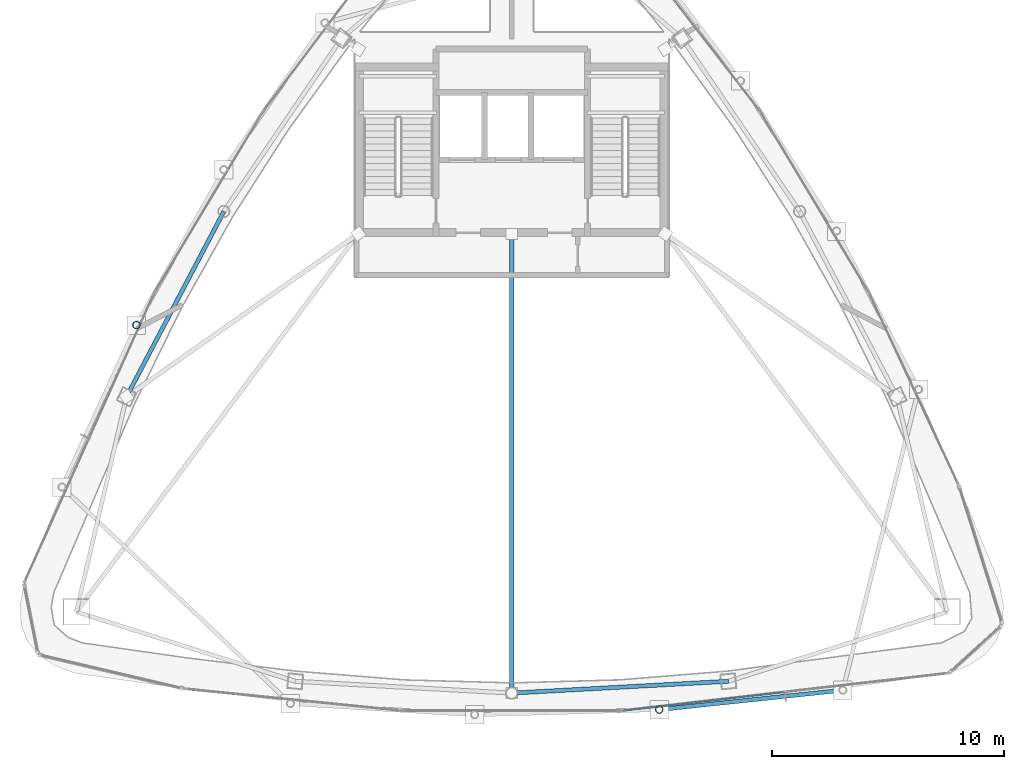
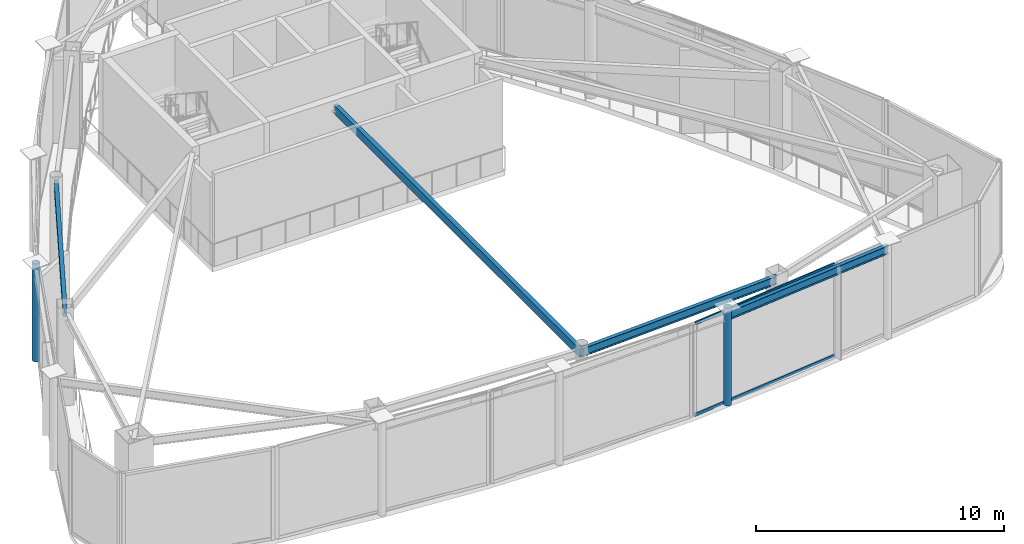
# One storey, part 7 of 20: 5 members, 3 beams, 1 element without a shape of its own.
"""IFC4 building model written with IfcOpenShell, lengths in metres."""

from ifc_helpers import new_model, si_unit, direction, frame, origin, origin_2d, place, context, subcontext, project, spatial, hollow_rectangle, hollow_circle, i_section, extrude, material, layer, layer_set, material_profile, profile_set, type_object, element, aggregate, save


model = new_model("IFC4")

# Units and contexts
model_context = context("Model", 3, precision=1e-05, world=origin(), true_north=direction((0.0, 1.0)))
body_context = subcontext(model_context, "Body", "Model", "MODEL_VIEW")
ifc_project = project(units=[si_unit("LENGTHUNIT", "METRE"), si_unit("AREAUNIT", "SQUARE_METRE"), si_unit("VOLUMEUNIT", "CUBIC_METRE"), si_unit("PLANEANGLEUNIT", "RADIAN"), si_unit("MASSUNIT", "GRAM", prefix="KILO")], contexts=[model_context])

# Site, building, storey
site_placement = place(None, origin())
site = spatial("IfcSite", under=ifc_project, at=site_placement, CompositionType="ELEMENT")
building_placement = place(site_placement, origin())
building = spatial("IfcBuilding", under=site, at=building_placement, Name="Orvanel Arch Residences", CompositionType="ELEMENT")
storey_placement = place(building_placement, frame((0.0, 0.0, 300.5)))
storey = spatial("IfcBuildingStorey", under=building, at=storey_placement, Name="L84", CompositionType="ELEMENT", Elevation=300.5)

# Beams
ifc_material_1 = material(Name="Structural steel AS/NZS 3679.1 Grade 300 (300 MPa)", Category="steel")
ifc_material_profile_1 = material_profile(ifc_material_1, i_section(OverallWidth=0.177978515625, OverallDepth=0.406005859375, WebThickness=0.0078125, FlangeThickness=0.0126953125, at=origin_2d()), Name="410UB59.7")
ifc_profile_set_1 = profile_set([ifc_material_profile_1], Name="Structural steel AS/NZS 3679.1 Grade 300 (300 MPa)")
beam_type_1 = type_object("IfcBeamType", Name="OB-410UB", PredefinedType="SPANDREL", material=ifc_profile_set_1)
beam_1_placement = place(storey_placement, frame((33.0, 6.843994140625, 4.346923828125), z_axis=(0.998510315598, 0.054563262768, 0.0), x_axis=(-0.054563262768, 0.998510315598, 0.0)))
element("IfcBeam", 1, at=beam_1_placement, inside=storey, type_object=beam_type_1, Name="L84 Perimeter Spandrel Beam 04", PredefinedType="SPANDREL", context=body_context, shape_type="SweptSolid", body=[
    extrude(i_section(OverallWidth=0.177978515625, OverallDepth=0.406005859375, WebThickness=0.0078125, FlangeThickness=0.0126953125, at=origin_2d()), origin(), (0.0, 0.0, 1.0), 9.364990234375),
])
beam_2_placement = place(storey_placement, frame((20.569091796875, 27.64111328125, 4.346923828125), z_axis=(-0.465064762793, -0.885276660942, 0.0), x_axis=(0.885276660942, -0.465064762793, 0.0)))
element("IfcBeam", 2, at=beam_2_placement, inside=storey, type_object=beam_type_1, Name="L84 Perimeter Spandrel Beam 12", PredefinedType="SPANDREL", context=body_context, shape_type="SweptSolid", body=[
    extrude(i_section(OverallWidth=0.177978515625, OverallDepth=0.406005859375, WebThickness=0.0078125, FlangeThickness=0.0126953125, at=origin_2d()), origin(), (0.0, 0.0, 1.0), 9.03564453125),
])
ifc_material_profile_2 = material_profile(ifc_material_1, i_section(OverallWidth=0.177978515625, OverallDepth=0.406005859375, WebThickness=0.0078125, FlangeThickness=0.0126953125, at=origin_2d()), Name="410UB59.7")
ifc_profile_set_2 = profile_set([ifc_material_profile_2], Name="Structural steel AS/NZS 3679.1 Grade 300 (300 MPa)")
beam_type_2 = type_object("IfcBeamType", Name="OB-410UB-EXT", PredefinedType="SPANDREL", material=ifc_profile_set_2)
beam_3_placement = place(storey_placement, frame((39.366943359375, 6.131103515625, 4.346923828125), z_axis=(0.994445876363, 0.1052492232, 0.0), x_axis=(-0.1052492232, 0.994445876363, 0.0)))
element("IfcBeam", 3, at=beam_3_placement, inside=storey, type_object=beam_type_2, Name="L84 Outer Perimeter Floor Ring Beam 07", PredefinedType="SPANDREL", context=body_context, shape_type="SweptSolid", body=[
    extrude(i_section(OverallWidth=0.177978515625, OverallDepth=0.406005859375, WebThickness=0.0078125, FlangeThickness=0.0126953125, at=origin_2d()), origin(), (0.0, 0.0, 1.0), 7.97021484375),
])

# Members
ifc_material_2 = material(Name="Structural steel AS/NZS 1163 C350L0 (Grade 350)", Category="steel")
ifc_material_profile_3 = material_profile(ifc_material_2, hollow_rectangle(XDim=0.199951171875, YDim=0.39990234375, WallThickness=0.012451171875, at=origin_2d()), Name="RHS400x200x12.5")
ifc_profile_set_3 = profile_set([ifc_material_profile_3], Name="Structural steel AS/NZS 1163 C350L0 (Grade 350)")
member_type_1 = type_object("IfcMemberType", Name="RF-400RHS", PredefinedType="RAFTER", material=ifc_profile_set_3)
member_1_placement = place(storey_placement, frame((33.0, 26.675048828125, 4.300048828125), z_axis=(0.0, -1.0, 0.0), x_axis=(1.0, 0.0, 0.0)))
element("IfcMember", 4, at=member_1_placement, inside=storey, type_object=member_type_1, Name="L84 Winter-Garden Conservatory Gallery Rafter 05", PredefinedType="RAFTER", context=body_context, shape_type="SweptSolid", body=[
    extrude(hollow_rectangle(XDim=0.199951171875, YDim=0.39990234375, WallThickness=0.012451171875, at=origin_2d()), origin(), (0.0, 0.0, 1.0), 19.8310546875),
])
ifc_material_profile_4 = material_profile(ifc_material_2, hollow_circle(Radius=0.162109375, WallThickness=0.0126953125, at=origin_2d()), Name="CHS324x12.7")
ifc_profile_set_4 = profile_set([ifc_material_profile_4], Name="Structural steel AS/NZS 1163 C350L0 (Grade 350)")
member_type_2 = type_object("IfcMemberType", Name="ST-324CHS-EXT", PredefinedType="STRUT", material=ifc_profile_set_4)
for number, where, z_axis, x_axis, name in (
    (5, (16.794921875, 22.73388671875, 0.0), (0.0, 0.0, 1.0), (1.0, 0.0, 0.0), "L84 Outer Perimeter Frame Post 03"),
    (6, (39.366943359375, 6.131103515625, 0.0), (0.0, 0.0, 1.0), (1.0, 0.0, 0.0), "L84 Outer Perimeter Frame Post 07"),
):
    element("IfcMember", number, at=place(storey_placement, frame(where, z_axis=z_axis, x_axis=x_axis)), inside=storey, type_object=member_type_2, Name=name, PredefinedType="STRUT", context=body_context, shape_type="SweptSolid", body=[
        extrude(hollow_circle(Radius=0.162109375, WallThickness=0.0126953125, at=origin_2d()), origin(), (0.0, 0.0, 1.0), 4.800048828125),
    ])

# Curtain wall, members
ifc_material_3 = material(Name="Bronze-anodised aluminium AA6063-T6", Category="aluminium")
ifc_layer = layer(ifc_material_3, 0.2099609375)
ifc_layer_set = layer_set([ifc_layer], Name="Bronze-anodised aluminium AA6063-T6")
curtain_wall_type = type_object("IfcCurtainWallType", Name="CW7-TOP-SYS", PredefinedType="NOTDEFINED", material=ifc_layer_set)
curtain_wall_placement = place(storey_placement, origin())
curtain_wall = element("IfcCurtainWall", 7, at=curtain_wall_placement, inside=storey, type_object=curtain_wall_type, Name="L84 CW7-TOP-SYS Unitised Curtain Wall", PredefinedType="NOTDEFINED")
ifc_material_profile_5 = material_profile(ifc_material_3, hollow_rectangle(XDim=0.06494140625, YDim=0.14990234375, WallThickness=0.00390625, at=origin_2d()), Name="ALU150x65x4")
ifc_profile_set_5 = profile_set([ifc_material_profile_5], Name="Bronze-anodised aluminium AA6063-T6")
member_type_3 = type_object("IfcMemberType", Name="TRN-150x65", PredefinedType="USERDEFINED", material=ifc_profile_set_5)
member_2_placement = place(storey_placement, frame((37.8154296875, 6.088623046875, 0.032470703125), z_axis=(0.993453799179, 0.114234622144, 0.0), x_axis=(-0.114234622144, 0.993453799179, 0.0)))
member_2 = element("IfcMember", 8, at=member_2_placement, type_object=member_type_3, Name="CW-S7 transom 1.1", ObjectType="TRANSOM", PredefinedType="USERDEFINED", context=body_context, shape_type="SweptSolid", body=[
    extrude(hollow_rectangle(XDim=0.06494140625, YDim=0.14990234375, WallThickness=0.00390625, at=origin_2d()), origin(), (0.0, 0.0, 1.0), 6.9951171875),
])
member_3_placement = place(storey_placement, frame((37.8154296875, 6.088623046875, 4.517578125), z_axis=(0.993453799179, 0.114234622144, 0.0), x_axis=(-0.114234622144, 0.993453799179, 0.0)))
member_3 = element("IfcMember", 9, at=member_3_placement, type_object=member_type_3, Name="CW-S7 transom 1.2", ObjectType="TRANSOM", PredefinedType="USERDEFINED", context=body_context, shape_type="SweptSolid", body=[
    extrude(hollow_rectangle(XDim=0.06494140625, YDim=0.14990234375, WallThickness=0.00390625, at=origin_2d()), origin(), (0.0, 0.0, 1.0), 6.9951171875),
])
aggregate(curtain_wall, [member_2, member_3])

save(model, "model.ifc")
